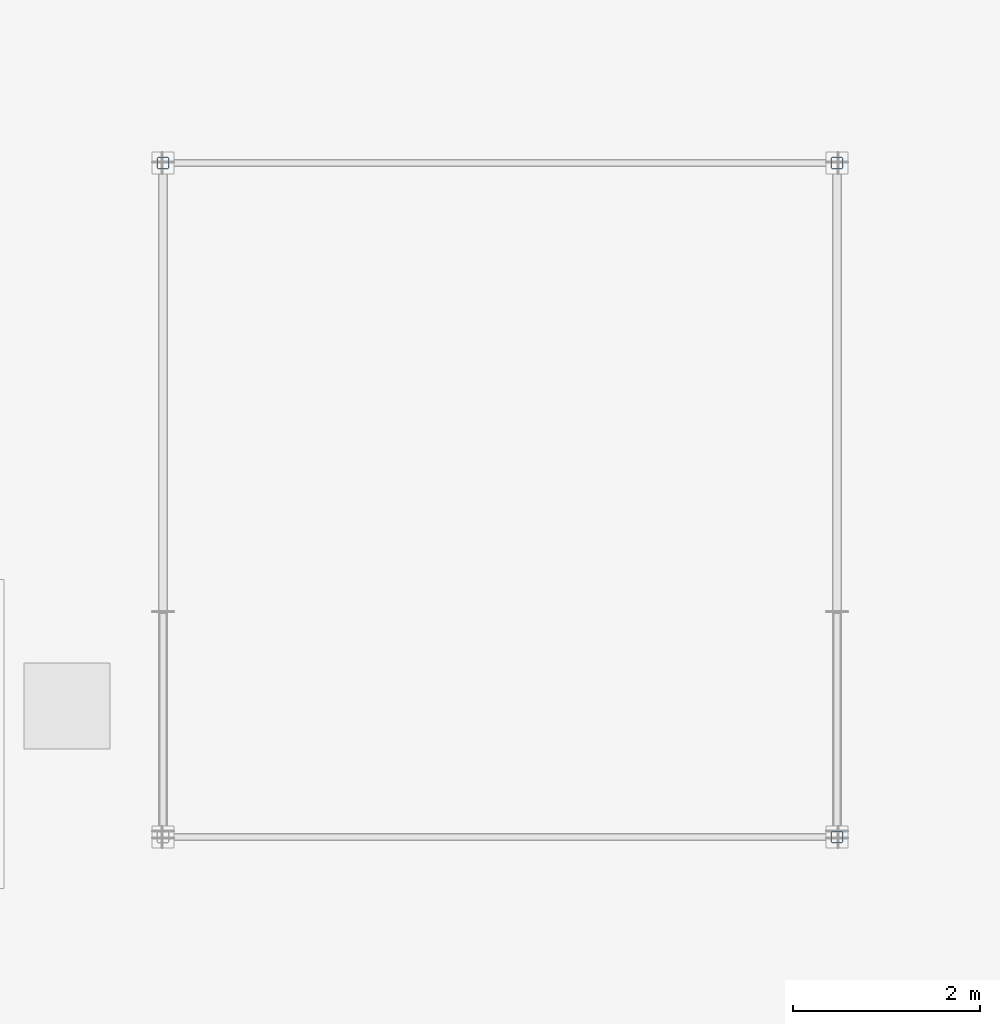
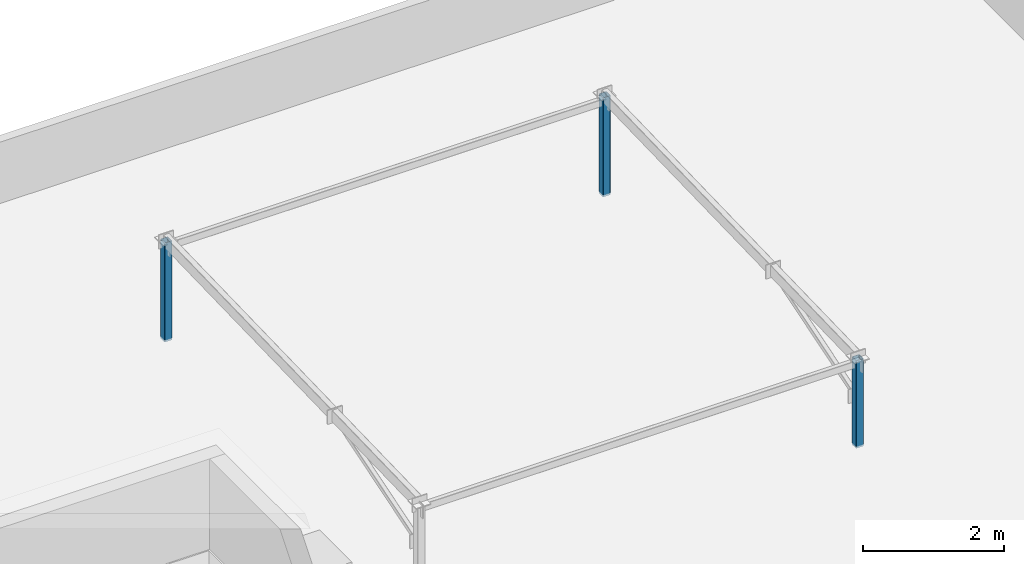
# One storey, part 2 of 31: 3 columns.
"""IFC4 building model written with IfcOpenShell, lengths in metres."""

from ifc_helpers import new_model, si_unit, direction, frame, origin, origin_2d, place, context, subcontext, project, spatial, hollow_rectangle, extrude, material, material_profile, profile_set, type_object, element, save


model = new_model("IFC4")

# Units and contexts
model_context = context("Model", 3, precision=1e-05, world=origin(), true_north=direction((0.0, 1.0)))
body_context = subcontext(model_context, "Body", "Model", "MODEL_VIEW")
ifc_project = project(units=[si_unit("LENGTHUNIT", "METRE"), si_unit("AREAUNIT", "SQUARE_METRE"), si_unit("VOLUMEUNIT", "CUBIC_METRE"), si_unit("PLANEANGLEUNIT", "RADIAN"), si_unit("MASSUNIT", "GRAM", prefix="KILO")], contexts=[model_context])

# Site, building, storey
site_placement = place(None, origin())
site = spatial("IfcSite", under=ifc_project, at=site_placement, CompositionType="ELEMENT")
building_placement = place(site_placement, origin())
building = spatial("IfcBuilding", under=site, at=building_placement, Name="Ochrevale Crest", CompositionType="ELEMENT")
storey_placement = place(building_placement, frame((0.0, 0.0, 37.050048828125)))
storey = spatial("IfcBuildingStorey", under=building, at=storey_placement, Name="L11", CompositionType="ELEMENT", Elevation=37.050048828125)

# Columns
ifc_material = material(Name="Steel S355", Category="steel")
ifc_material_profile = material_profile(ifc_material, hollow_rectangle(XDim=0.125, YDim=0.125, WallThickness=0.006103515625, InnerFilletRadius=0.006103515625, OuterFilletRadius=0.011962890625, at=origin_2d()), Name="125x125x6.0SHS")
ifc_profile_set = profile_set([ifc_material_profile], Name="Steel S355")
column_type = type_object("IfcColumnType", Name="COL-SHS125", PredefinedType="COLUMN", material=ifc_profile_set)
column_1_placement = place(storey_placement, frame((21.60009765625, 86.39990234375, 0.0), z_axis=(0.0, 0.0, 1.0), x_axis=(1.0, 0.0, 0.0)))
element("IfcColumn", 1, at=column_1_placement, inside=storey, type_object=column_type, Name="Block B solar-frame support post", PredefinedType="COLUMN", context=body_context, shape_type="SweptSolid", body=[
    extrude(hollow_rectangle(XDim=0.125, YDim=0.125, WallThickness=0.006103515625, InnerFilletRadius=0.006103515625, OuterFilletRadius=0.011962890625, at=origin_2d()), origin(), (0.0, 0.0, 1.0), 1.719970703125),
])
column_2_placement = place(storey_placement, frame((28.800048828125, 79.199951171875, 0.0), z_axis=(0.0, 0.0, 1.0), x_axis=(1.0, 0.0, 0.0)))
element("IfcColumn", 2, at=column_2_placement, inside=storey, type_object=column_type, Name="Block B solar-frame support post", PredefinedType="COLUMN", context=body_context, shape_type="SweptSolid", body=[
    extrude(hollow_rectangle(XDim=0.125, YDim=0.125, WallThickness=0.006103515625, InnerFilletRadius=0.006103515625, OuterFilletRadius=0.011962890625, at=origin_2d()), origin(), (0.0, 0.0, 1.0), 1.52001953125),
])
column_3_placement = place(storey_placement, frame((28.800048828125, 86.39990234375, 0.0), z_axis=(0.0, 0.0, 1.0), x_axis=(1.0, 0.0, 0.0)))
element("IfcColumn", 3, at=column_3_placement, inside=storey, type_object=column_type, Name="Block B solar-frame support post", PredefinedType="COLUMN", context=body_context, shape_type="SweptSolid", body=[
    extrude(hollow_rectangle(XDim=0.125, YDim=0.125, WallThickness=0.006103515625, InnerFilletRadius=0.006103515625, OuterFilletRadius=0.011962890625, at=origin_2d()), origin(), (0.0, 0.0, 1.0), 1.719970703125),
])

save(model, "model.ifc")
